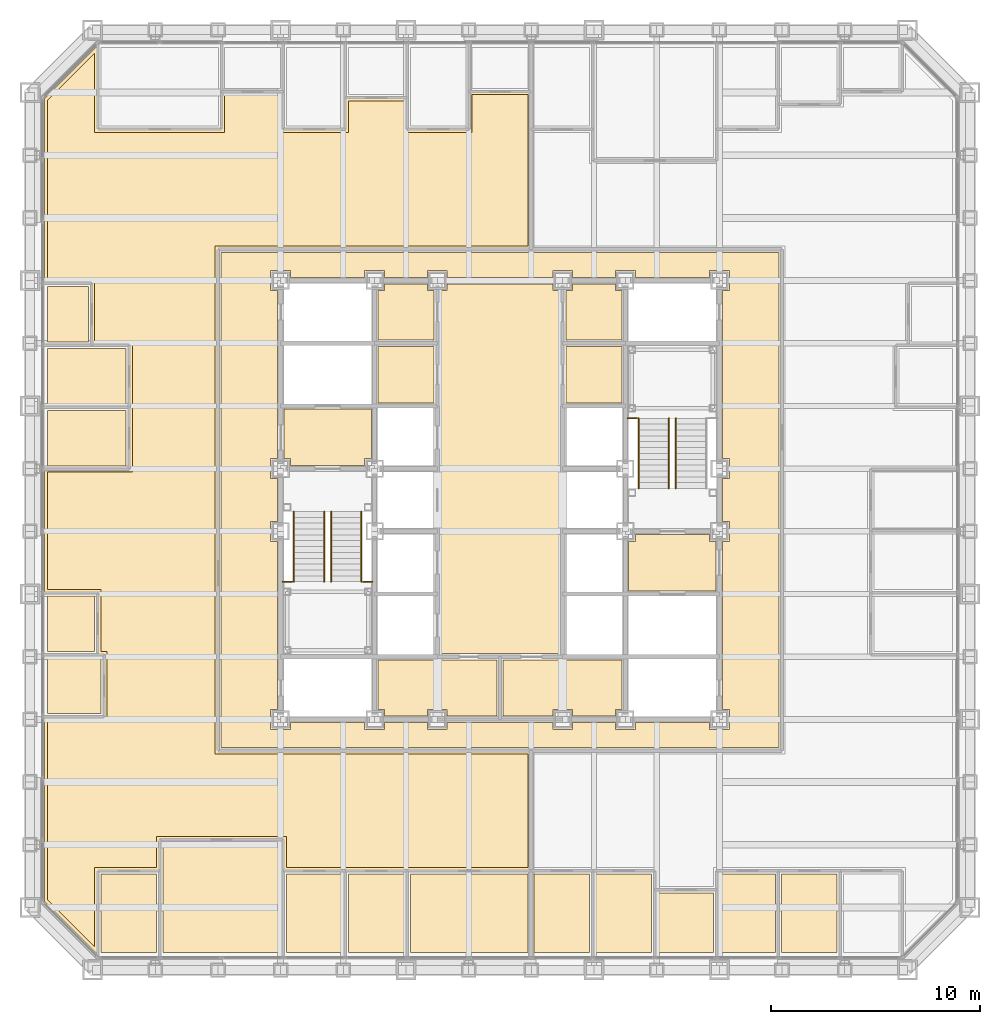
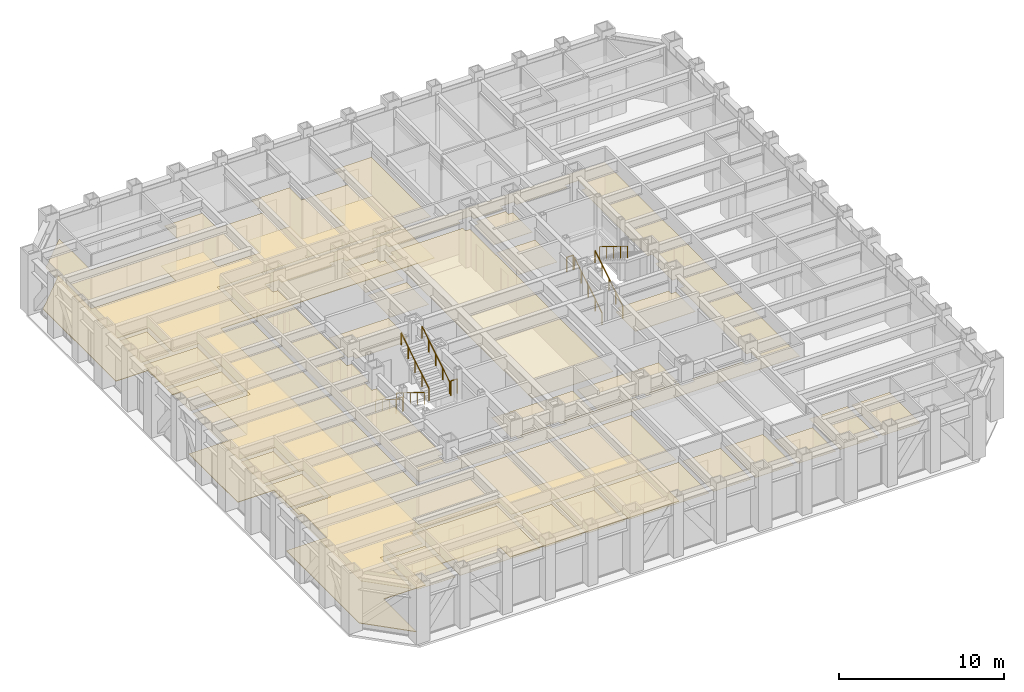
# One storey, part 14 of 16: 27 coverings, 10 railings.
"""IFC4 building model written with IfcOpenShell, lengths in metres."""

from ifc_helpers import new_model, si_unit, direction, frame, origin, origin_2d, place, context, subcontext, project, spatial, polyline, circle, outline, extrude, material, layer, layer_set, type_object, element, save


model = new_model("IFC4")

# Units and contexts
model_context = context("Model", 3, precision=1e-05, world=origin(), true_north=direction((0.0, 1.0)))
body_context = subcontext(model_context, "Body", "Model", "MODEL_VIEW")
ifc_project = project(units=[si_unit("LENGTHUNIT", "METRE"), si_unit("AREAUNIT", "SQUARE_METRE"), si_unit("VOLUMEUNIT", "CUBIC_METRE"), si_unit("PLANEANGLEUNIT", "RADIAN"), si_unit("MASSUNIT", "GRAM", prefix="KILO")], contexts=[model_context])

# Site, building, storey
site_placement = place(None, origin())
site = spatial("IfcSite", under=ifc_project, at=site_placement, CompositionType="ELEMENT")
building_placement = place(site_placement, origin())
building = spatial("IfcBuilding", under=site, at=building_placement, Name="Chuquiago Exchange Tower", CompositionType="ELEMENT")
storey_placement = place(building_placement, frame((0.0, 0.0, 51.300048828125)))
storey = spatial("IfcBuildingStorey", under=building, at=storey_placement, Name="L10", CompositionType="ELEMENT", Elevation=51.300048828125)

# Coverings
ifc_material_1 = material(Name="Mineral fibre tile, 600 x 600, on pale metal grid", Category="mineral fibre")
ifc_layer_1 = layer(ifc_material_1, 0.02001953125)
ifc_layer_set_1 = layer_set([ifc_layer_1], Name="CL1 suspended tile ceiling 20")
covering_type_1 = type_object("IfcCoveringType", Name="CL1 suspended tile ceiling 20", PredefinedType="CEILING", material=ifc_layer_set_1)
covering_1_placement = place(storey_placement, frame((0.0, 0.0, 3.0)))
element("IfcCovering", 1, at=covering_1_placement, inside=storey, type_object=covering_type_1, Name="Ceiling Trading support room", PredefinedType="CEILING", context=body_context, shape_type="SweptSolid", body=[
    extrude(outline(polyline([(3.3984375, 4.60009765625), (6.060302734375, 4.60009765625), (6.060302734375, 0.85009765625), (3.3984375, 0.85009765625), (3.3984375, 4.60009765625)])), origin(), (0.0, 0.0, 1.0), 0.02001953125),
])
covering_2_placement = place(storey_placement, frame((0.0, 0.0, 3.0)))
element("IfcCovering", 2, at=covering_2_placement, inside=storey, type_object=covering_type_1, Name="Ceiling Market data room", PredefinedType="CEILING", context=body_context, shape_type="SweptSolid", body=[
    extrude(outline(polyline([(6.3603515625, 6.10009765625), (11.98388671875, 6.10009765625), (11.98388671875, 0.85009765625), (6.3603515625, 0.85009765625), (6.3603515625, 6.10009765625)])), origin(), (0.0, 0.0, 1.0), 0.02001953125),
])
covering_3_placement = place(storey_placement, frame((0.0, 0.0, 3.0)))
element("IfcCovering", 3, at=covering_3_placement, inside=storey, type_object=covering_type_1, Name="Ceiling Office", PredefinedType="CEILING", context=body_context, shape_type="SweptSolid", body=[
    extrude(outline(polyline([(12.28369140625, 4.60009765625), (14.945556640625, 4.60009765625), (14.945556640625, 0.85009765625), (12.28369140625, 0.85009765625), (12.28369140625, 4.60009765625)])), origin(), (0.0, 0.0, 1.0), 0.02001953125),
])
covering_4_placement = place(storey_placement, frame((0.0, 0.0, 3.0)))
element("IfcCovering", 4, at=covering_4_placement, inside=storey, type_object=covering_type_1, Name="Ceiling Office", PredefinedType="CEILING", context=body_context, shape_type="SweptSolid", body=[
    extrude(outline(polyline([(15.24560546875, 4.60009765625), (17.907470703125, 4.60009765625), (17.907470703125, 0.85009765625), (15.24560546875, 0.85009765625), (15.24560546875, 4.60009765625)])), origin(), (0.0, 0.0, 1.0), 0.02001953125),
])
covering_5_placement = place(storey_placement, frame((0.0, 0.0, 3.0)))
element("IfcCovering", 5, at=covering_5_placement, inside=storey, type_object=covering_type_1, Name="Ceiling Meeting room", PredefinedType="CEILING", context=body_context, shape_type="SweptSolid", body=[
    extrude(outline(polyline([(18.20751953125, 4.60009765625), (23.830810546875, 4.60009765625), (23.830810546875, 0.85009765625), (18.20751953125, 0.85009765625), (18.20751953125, 4.60009765625)])), origin(), (0.0, 0.0, 1.0), 0.02001953125),
])
covering_6_placement = place(storey_placement, frame((0.0, 0.0, 3.0)))
element("IfcCovering", 6, at=covering_6_placement, inside=storey, type_object=covering_type_1, Name="Ceiling Office", PredefinedType="CEILING", context=body_context, shape_type="SweptSolid", body=[
    extrude(outline(polyline([(24.130859375, 4.60009765625), (26.79248046875, 4.60009765625), (26.79248046875, 0.85009765625), (24.130859375, 0.85009765625), (24.130859375, 4.60009765625)])), origin(), (0.0, 0.0, 1.0), 0.02001953125),
])
covering_7_placement = place(storey_placement, frame((0.0, 0.0, 3.0)))
element("IfcCovering", 7, at=covering_7_placement, inside=storey, type_object=covering_type_1, Name="Ceiling Office", PredefinedType="CEILING", context=body_context, shape_type="SweptSolid", body=[
    extrude(outline(polyline([(27.092529296875, 4.60009765625), (29.75439453125, 4.60009765625), (29.75439453125, 0.85009765625), (27.092529296875, 0.85009765625), (27.092529296875, 4.60009765625)])), origin(), (0.0, 0.0, 1.0), 0.02001953125),
])
covering_8_placement = place(storey_placement, frame((0.0, 0.0, 3.0)))
element("IfcCovering", 8, at=covering_8_placement, inside=storey, type_object=covering_type_1, Name="Ceiling Comms room", PredefinedType="CEILING", context=body_context, shape_type="SweptSolid", body=[
    extrude(outline(polyline([(30.054443359375, 3.699951171875), (32.71630859375, 3.699951171875), (32.71630859375, 0.85009765625), (30.054443359375, 0.85009765625), (30.054443359375, 3.699951171875)])), origin(), (0.0, 0.0, 1.0), 0.02001953125),
])
covering_9_placement = place(storey_placement, frame((0.0, 0.0, 3.0)))
element("IfcCovering", 9, at=covering_9_placement, inside=storey, type_object=covering_type_1, Name="Ceiling Trading support room", PredefinedType="CEILING", context=body_context, shape_type="SweptSolid", body=[
    extrude(outline(polyline([(33.01611328125, 4.60009765625), (35.677978515625, 4.60009765625), (35.677978515625, 0.85009765625), (33.01611328125, 0.85009765625), (33.01611328125, 4.60009765625)])), origin(), (0.0, 0.0, 1.0), 0.02001953125),
])
covering_10_placement = place(storey_placement, frame((0.0, 0.0, 3.0)))
element("IfcCovering", 10, at=covering_10_placement, inside=storey, type_object=covering_type_1, Name="Ceiling Trading support room", PredefinedType="CEILING", context=body_context, shape_type="SweptSolid", body=[
    extrude(outline(polyline([(35.977783203125, 4.60009765625), (38.6396484375, 4.60009765625), (38.6396484375, 0.85009765625), (35.977783203125, 0.85009765625), (35.977783203125, 4.60009765625)])), origin(), (0.0, 0.0, 1.0), 0.02001953125),
])
covering_11_placement = place(storey_placement, frame((0.0, 0.0, 3.0)))
element("IfcCovering", 11, at=covering_11_placement, inside=storey, type_object=covering_type_1, Name="Ceiling Pantry", PredefinedType="CEILING", context=body_context, shape_type="SweptSolid", body=[
    extrude(outline(polyline([(3.39990234375, 14.945556640625), (3.39990234375, 12.28369140625), (0.85009765625, 12.28369140625), (0.85009765625, 14.945556640625), (3.39990234375, 14.945556640625)])), origin(), (0.0, 0.0, 1.0), 0.02001953125),
])
covering_12_placement = place(storey_placement, frame((0.0, 0.0, 3.0)))
element("IfcCovering", 12, at=covering_12_placement, inside=storey, type_object=covering_type_1, Name="Ceiling Store", PredefinedType="CEILING", context=body_context, shape_type="SweptSolid", body=[
    extrude(outline(polyline([(3.10009765625, 17.907470703125), (3.10009765625, 15.24560546875), (0.85009765625, 15.24560546875), (0.85009765625, 17.907470703125), (3.10009765625, 17.907470703125)])), origin(), (0.0, 0.0, 1.0), 0.02001953125),
])
covering_13_placement = place(storey_placement, frame((0.0, 0.0, 3.0)))
element("IfcCovering", 13, at=covering_13_placement, inside=storey, type_object=covering_type_1, Name="Ceiling Office", PredefinedType="CEILING", context=body_context, shape_type="SweptSolid", body=[
    extrude(outline(polyline([(4.60009765625, 26.79248046875), (4.60009765625, 24.130859375), (0.85009765625, 24.130859375), (0.85009765625, 26.79248046875), (4.60009765625, 26.79248046875)])), origin(), (0.0, 0.0, 1.0), 0.02001953125),
])
covering_14_placement = place(storey_placement, frame((0.0, 0.0, 3.0)))
element("IfcCovering", 14, at=covering_14_placement, inside=storey, type_object=covering_type_1, Name="Ceiling Office", PredefinedType="CEILING", context=body_context, shape_type="SweptSolid", body=[
    extrude(outline(polyline([(4.60009765625, 29.75439453125), (4.60009765625, 27.092529296875), (0.85009765625, 27.092529296875), (0.85009765625, 29.75439453125), (4.60009765625, 29.75439453125)])), origin(), (0.0, 0.0, 1.0), 0.02001953125),
])
covering_15_placement = place(storey_placement, frame((0.0, 0.0, 3.0)))
element("IfcCovering", 15, at=covering_15_placement, inside=storey, type_object=covering_type_1, Name="Ceiling Focus room", PredefinedType="CEILING", context=body_context, shape_type="SweptSolid", body=[
    extrude(outline(polyline([(2.800048828125, 32.71630859375), (2.800048828125, 30.054443359375), (0.85009765625, 30.054443359375), (0.85009765625, 32.71630859375), (2.800048828125, 32.71630859375)])), origin(), (0.0, 0.0, 1.0), 0.02001953125),
])
covering_16_placement = place(storey_placement, frame((0.0, 0.0, 3.0)))
element("IfcCovering", 16, at=covering_16_placement, inside=storey, type_object=covering_type_1, Name="Ceiling Trading floor west suite", PredefinedType="CEILING", context=body_context, shape_type="SweptSolid", body=[
    extrude(outline(polyline([(3.098388671875, 40.10009765625), (9.322021484375, 40.10009765625), (9.322021484375, 41.89990234375), (11.98388671875, 41.89990234375), (11.98388671875, 40.10009765625), (15.24560546875, 40.10009765625), (15.24560546875, 41.60009765625), (17.907470703125, 41.60009765625), (17.907470703125, 40.10009765625), (21.169189453125, 40.10009765625), (21.169189453125, 41.89990234375), (23.830322265625, 41.89990234375), (23.830322265625, 34.650390625), (8.849609375, 34.64990234375), (8.849609375, 10.349853515625), (23.830322265625, 10.349609375), (23.830322265625, 4.89990234375), (12.28369140625, 4.89990234375), (12.28369140625, 6.39990234375), (6.060302734375, 6.39990234375), (6.060302734375, 4.89990234375), (3.098388671875, 4.89990234375), (3.098388671875, 1.103515625), (0.85009765625, 3.35205078125), (0.85009765625, 11.98388671875), (3.699951171875, 11.98388671875), (3.699951171875, 15.24560546875), (3.39990234375, 15.24560546875), (3.39990234375, 18.20751953125), (0.85009765625, 18.20751953125), (0.85009765625, 23.830810546875), (4.89990234375, 23.830810546875), (4.89990234375, 30.054443359375), (3.10009765625, 30.054443359375), (3.10009765625, 33.01611328125), (0.85009765625, 33.01611328125), (0.85009765625, 41.64794921875), (3.098388671875, 43.896484375), (3.098388671875, 40.10009765625)])), origin(), (0.0, 0.0, 1.0), 0.02001953125),
])
covering_17_placement = place(storey_placement, frame((0.0, 0.0, 3.0)))
element("IfcCovering", 17, at=covering_17_placement, inside=storey, type_object=covering_type_1, Name="Ceiling Tenant corridor", PredefinedType="CEILING", context=body_context, shape_type="SweptSolid", body=[
    extrude(outline(polyline([(9.14990234375, 34.35009765625), (35.85009765625, 34.35009765625), (35.85009765625, 10.64990234375), (9.14990234375, 10.64990234375), (9.14990234375, 34.35009765625)]), holes=[polyline([(11.85009765625, 24.47509765625), (11.52490234375, 24.47509765625), (11.52490234375, 23.52490234375), (11.85009765625, 23.52490234375), (11.85009765625, 21.47509765625), (11.52490234375, 21.47509765625), (11.52490234375, 20.52490234375), (11.85009765625, 20.52490234375), (11.85009765625, 12.47509765625), (11.52490234375, 12.47509765625), (11.52490234375, 11.52490234375), (12.47509765625, 11.52490234375), (12.47509765625, 11.85009765625), (16.02490234375, 11.85009765625), (16.02490234375, 11.52490234375), (16.97509765625, 11.52490234375), (16.97509765625, 11.85009765625), (19.02490234375, 11.85009765625), (19.02490234375, 11.52490234375), (19.97509765625, 11.52490234375), (19.97509765625, 11.85009765625), (25.02490234375, 11.85009765625), (25.02490234375, 11.52490234375), (25.97509765625, 11.52490234375), (25.97509765625, 11.85009765625), (28.02490234375, 11.85009765625), (28.02490234375, 11.52490234375), (28.97509765625, 11.52490234375), (28.97509765625, 11.85009765625), (32.52490234375, 11.85009765625), (32.52490234375, 11.52490234375), (33.47509765625, 11.52490234375), (33.47509765625, 12.47509765625), (33.14990234375, 12.47509765625), (33.14990234375, 20.52490234375), (33.47509765625, 20.52490234375), (33.47509765625, 21.47509765625), (33.14990234375, 21.47509765625), (33.14990234375, 23.52490234375), (33.47509765625, 23.52490234375), (33.47509765625, 24.47509765625), (33.14990234375, 24.47509765625), (33.14990234375, 32.52490234375), (33.47509765625, 32.52490234375), (33.47509765625, 33.47509765625), (32.52490234375, 33.47509765625), (32.52490234375, 33.14990234375), (28.97509765625, 33.14990234375), (28.97509765625, 33.47509765625), (28.02490234375, 33.47509765625), (28.02490234375, 33.14990234375), (25.97509765625, 33.14990234375), (25.97509765625, 33.47509765625), (25.02490234375, 33.47509765625), (25.02490234375, 33.14990234375), (19.97509765625, 33.14990234375), (19.97509765625, 33.47509765625), (19.02490234375, 33.47509765625), (19.02490234375, 33.14990234375), (16.97509765625, 33.14990234375), (16.97509765625, 33.47509765625), (16.02490234375, 33.47509765625), (16.02490234375, 33.14990234375), (12.47509765625, 33.14990234375), (12.47509765625, 33.47509765625), (11.52490234375, 33.47509765625), (11.52490234375, 32.52490234375), (11.85009765625, 32.52490234375), (11.85009765625, 24.47509765625)])]), origin(), (0.0, 0.0, 1.0), 0.02001953125),
])
covering_18_placement = place(storey_placement, frame((0.0, 0.0, 3.0)))
element("IfcCovering", 18, at=covering_18_placement, inside=storey, type_object=covering_type_1, Name="Ceiling Baby change room", PredefinedType="CEILING", context=body_context, shape_type="SweptSolid", body=[
    extrude(outline(polyline([(25.64990234375, 30.14990234375), (25.64990234375, 32.52490234375), (25.97509765625, 32.52490234375), (25.97509765625, 32.85009765625), (28.02490234375, 32.85009765625), (28.02490234375, 32.52490234375), (28.35009765625, 32.52490234375), (28.35009765625, 30.14990234375), (25.64990234375, 30.14990234375)])), origin(), (0.0, 0.0, 1.0), 0.02001953125),
])
ifc_material_2 = material(Name="Moisture resistant plasterboard on metal frame", Category="gypsum")
ifc_layer_2 = layer(ifc_material_2, 0.014892578125)
ifc_layer_set_2 = layer_set([ifc_layer_2], Name="CL2 moisture resistant ceiling 15")
covering_type_2 = type_object("IfcCoveringType", Name="CL2 moisture resistant ceiling 15", PredefinedType="CEILING", material=ifc_layer_set_2)
covering_19_placement = place(storey_placement, frame((0.0, 0.0, 2.599853515625)))
element("IfcCovering", 19, at=covering_19_placement, inside=storey, type_object=covering_type_2, Name="Ceiling Male WC", PredefinedType="CEILING", context=body_context, shape_type="SweptSolid", body=[
    extrude(outline(polyline([(16.64990234375, 27.14990234375), (16.64990234375, 29.85009765625), (19.35009765625, 29.85009765625), (19.35009765625, 27.14990234375), (16.64990234375, 27.14990234375)])), origin(), (0.0, 0.0, 1.0), 0.01513671875),
])
covering_20_placement = place(storey_placement, frame((0.0, 0.0, 2.599853515625)))
element("IfcCovering", 20, at=covering_20_placement, inside=storey, type_object=covering_type_2, Name="Ceiling Staff shower room", PredefinedType="CEILING", context=body_context, shape_type="SweptSolid", body=[
    extrude(outline(polyline([(16.64990234375, 30.14990234375), (16.64990234375, 32.52490234375), (16.97509765625, 32.52490234375), (16.97509765625, 32.85009765625), (19.02490234375, 32.85009765625), (19.02490234375, 32.52490234375), (19.35009765625, 32.52490234375), (19.35009765625, 30.14990234375), (16.64990234375, 30.14990234375)])), origin(), (0.0, 0.0, 1.0), 0.01513671875),
])
covering_21_placement = place(storey_placement, frame((0.0, 0.0, 2.599853515625)))
element("IfcCovering", 21, at=covering_21_placement, inside=storey, type_object=covering_type_2, Name="Ceiling Female WC", PredefinedType="CEILING", context=body_context, shape_type="SweptSolid", body=[
    extrude(outline(polyline([(25.64990234375, 27.14990234375), (25.64990234375, 29.85009765625), (28.35009765625, 29.85009765625), (28.35009765625, 27.14990234375), (25.64990234375, 27.14990234375)])), origin(), (0.0, 0.0, 1.0), 0.01513671875),
])
covering_22_placement = place(storey_placement, frame((0.0, 0.0, 2.599853515625)))
element("IfcCovering", 22, at=covering_22_placement, inside=storey, type_object=covering_type_2, Name="Ceiling Accessible WC", PredefinedType="CEILING", context=body_context, shape_type="SweptSolid", body=[
    extrude(outline(polyline([(25.97509765625, 12.14990234375), (25.97509765625, 12.47509765625), (25.02490234375, 12.47509765625), (25.02490234375, 12.14990234375), (22.64990234375, 12.14990234375), (22.64990234375, 14.85009765625), (28.35009765625, 14.85009765625), (28.35009765625, 12.47509765625), (28.02490234375, 12.47509765625), (28.02490234375, 12.14990234375), (25.97509765625, 12.14990234375)])), origin(), (0.0, 0.0, 1.0), 0.01513671875),
])
covering_23_placement = place(storey_placement, frame((0.0, 0.0, 2.599853515625)))
element("IfcCovering", 23, at=covering_23_placement, inside=storey, type_object=covering_type_2, Name="Ceiling Cleaner", PredefinedType="CEILING", context=body_context, shape_type="SweptSolid", body=[
    extrude(outline(polyline([(19.97509765625, 12.14990234375), (19.97509765625, 12.47509765625), (19.02490234375, 12.47509765625), (19.02490234375, 12.14990234375), (16.97509765625, 12.14990234375), (16.97509765625, 12.47509765625), (16.64990234375, 12.47509765625), (16.64990234375, 14.85009765625), (22.35009765625, 14.85009765625), (22.35009765625, 12.14990234375), (19.97509765625, 12.14990234375)])), origin(), (0.0, 0.0, 1.0), 0.01513671875),
])
ifc_material_3 = material(Name="Pale metal plank ceiling, perforated", Category="aluminium")
ifc_layer_3 = layer(ifc_material_3, 0.030029296875)
ifc_layer_set_3 = layer_set([ifc_layer_3], Name="CL3 metal plank ceiling 30")
covering_type_3 = type_object("IfcCoveringType", Name="CL3 metal plank ceiling 30", PredefinedType="CEILING", material=ifc_layer_set_3)
covering_24_placement = place(storey_placement, frame((0.0, 0.0, 2.800048828125)))
element("IfcCovering", 24, at=covering_24_placement, inside=storey, type_object=covering_type_3, Name="Ceiling Lift lobby", PredefinedType="CEILING", context=body_context, shape_type="SweptSolid", body=[
    extrude(outline(polyline([(19.64990234375, 15.14990234375), (19.64990234375, 32.52490234375), (19.97509765625, 32.52490234375), (19.97509765625, 32.85009765625), (25.02490234375, 32.85009765625), (25.02490234375, 32.52490234375), (25.35009765625, 32.52490234375), (25.35009765625, 15.14990234375), (19.64990234375, 15.14990234375)])), origin(), (0.0, 0.0, 1.0), 0.02978515625),
])
covering_25_placement = place(storey_placement, frame((0.0, 0.0, 2.800048828125)))
element("IfcCovering", 25, at=covering_25_placement, inside=storey, type_object=covering_type_3, Name="Ceiling Firefighting lobby", PredefinedType="CEILING", context=body_context, shape_type="SweptSolid", body=[
    extrude(outline(polyline([(12.47509765625, 24.14990234375), (12.47509765625, 24.47509765625), (12.14990234375, 24.47509765625), (12.14990234375, 26.85009765625), (16.35009765625, 26.85009765625), (16.35009765625, 24.47509765625), (16.02490234375, 24.47509765625), (16.02490234375, 24.14990234375), (12.47509765625, 24.14990234375)])), origin(), (0.0, 0.0, 1.0), 0.02978515625),
])
covering_26_placement = place(storey_placement, frame((0.0, 0.0, 2.800048828125)))
element("IfcCovering", 26, at=covering_26_placement, inside=storey, type_object=covering_type_3, Name="Ceiling Firefighting lobby", PredefinedType="CEILING", context=body_context, shape_type="SweptSolid", body=[
    extrude(outline(polyline([(28.64990234375, 18.14990234375), (28.64990234375, 20.52490234375), (28.97509765625, 20.52490234375), (28.97509765625, 20.85009765625), (32.52490234375, 20.85009765625), (32.52490234375, 20.52490234375), (32.85009765625, 20.52490234375), (32.85009765625, 18.14990234375), (28.64990234375, 18.14990234375)])), origin(), (0.0, 0.0, 1.0), 0.02978515625),
])

# Railings
ifc_material_4 = material(Name="Pale metal guard with safety glass infill", Category="glass")
railing_type_1 = type_object("IfcRailingType", Name="GR1 guard 1100", PredefinedType="GUARDRAIL", material=ifc_material_4)
for number, where, name in (
    (27, (12.10009765625, 18.590087890625, 2.25), "Guard ST1 L10 landing 2"),
    (28, (15.945068359375, 18.590087890625, 2.25), "Guard ST1 L10 landing 2"),
    (29, (28.60009765625, 26.409912109375, 2.25), "Guard ST2 L10 landing 2"),
):
    element("IfcRailing", number, at=place(storey_placement, frame(where)), inside=storey, type_object=railing_type_1, Name=name, PredefinedType="GUARDRAIL", context=body_context, shape_type="SweptSolid", body=[
        extrude(circle(Radius=0.02392578125, at=origin_2d()), frame((0.0, 0.0, 1.076171875), z_axis=(1.0, 0.0, 0.0), x_axis=(0.0, 1.0, 0.0)), (0.0, 0.0, 1.0), 0.454833984375),
        extrude(circle(Radius=0.02099609375, at=origin_2d()), origin(), (0.0, 0.0, 1.0), 1.052001953125),
        extrude(circle(Radius=0.02099609375, at=origin_2d()), frame((0.454833984375, 0.0, 0.0)), (0.0, 0.0, 1.0), 1.052001953125),
    ])
ifc_material_5 = material(Name="Pale metal handrail", Category="steel")
railing_type_2 = type_object("IfcRailingType", Name="HR1 handrail 900", PredefinedType="HANDRAIL", material=ifc_material_5)
for number, where, name in (
    (30, (12.635009765625, 21.949951171875, 0.173095703125), "Handrail ST1 L10 flight 1"),
    (31, (14.0849609375, 21.949951171875, 0.173095703125), "Handrail ST1 L10 flight 1"),
):
    element("IfcRailing", number, at=place(storey_placement, frame(where)), inside=storey, type_object=railing_type_2, Name=name, PredefinedType="HANDRAIL", context=body_context, shape_type="SweptSolid", body=[
        extrude(circle(Radius=0.02392578125, at=origin_2d()), frame((0.0, 0.0, 0.8759765625), z_axis=(0.0, -0.850606129759, 0.525803396734), x_axis=(1.0, 0.0, 0.0)), (0.0, 0.0, 1.0), 3.949951171875),
        extrude(circle(Radius=0.02099609375, at=origin_2d()), origin(), (0.0, 0.0, 1.0), 0.851806640625),
        extrude(circle(Radius=0.02099609375, at=origin_2d()), frame((0.0, -0.83984375, 0.519287109375)), (0.0, 0.0, 1.0), 0.851806640625),
        extrude(circle(Radius=0.02099609375, at=origin_2d()), frame((0.0, -1.679931640625, 1.03857421875)), (0.0, 0.0, 1.0), 0.851806640625),
        extrude(circle(Radius=0.02099609375, at=origin_2d()), frame((0.0, -2.52001953125, 1.5576171875)), (0.0, 0.0, 1.0), 0.851806640625),
        extrude(circle(Radius=0.02099609375, at=origin_2d()), frame((0.0, -3.35986328125, 2.076904296875)), (0.0, 0.0, 1.0), 0.851806640625),
    ])
for number, where, name in (
    (32, (15.864990234375, 18.590087890625, 2.423095703125), "Handrail ST1 L10 flight 2"),
    (33, (14.4150390625, 18.590087890625, 2.423095703125), "Handrail ST1 L10 flight 2"),
    (34, (30.5849609375, 23.050048828125, 0.173095703125), "Handrail ST2 L10 flight 1"),
    (35, (29.135009765625, 23.050048828125, 0.173095703125), "Handrail ST2 L10 flight 1"),
):
    element("IfcRailing", number, at=place(storey_placement, frame(where)), inside=storey, type_object=railing_type_2, Name=name, PredefinedType="HANDRAIL", context=body_context, shape_type="SweptSolid", body=[
        extrude(circle(Radius=0.02392578125, at=origin_2d()), frame((0.0, 0.0, 0.8759765625), z_axis=(0.0, 0.850606129759, 0.525803396734), x_axis=(-1.0, 0.0, 0.0)), (0.0, 0.0, 1.0), 3.949951171875),
        extrude(circle(Radius=0.02099609375, at=origin_2d()), origin(), (0.0, 0.0, 1.0), 0.851806640625),
        extrude(circle(Radius=0.02099609375, at=origin_2d()), frame((0.0, 0.83984375, 0.519287109375)), (0.0, 0.0, 1.0), 0.851806640625),
        extrude(circle(Radius=0.02099609375, at=origin_2d()), frame((0.0, 1.679931640625, 1.03857421875)), (0.0, 0.0, 1.0), 0.851806640625),
        extrude(circle(Radius=0.02099609375, at=origin_2d()), frame((0.0, 2.52001953125, 1.5576171875)), (0.0, 0.0, 1.0), 0.851806640625),
        extrude(circle(Radius=0.02099609375, at=origin_2d()), frame((0.0, 3.35986328125, 2.076904296875)), (0.0, 0.0, 1.0), 0.851806640625),
    ])
railing_placement = place(storey_placement, frame((30.9150390625, 26.409912109375, 2.423095703125)))
element("IfcRailing", 36, at=railing_placement, inside=storey, type_object=railing_type_2, Name="Handrail ST2 L10 flight 2", PredefinedType="HANDRAIL", context=body_context, shape_type="SweptSolid", body=[
    extrude(circle(Radius=0.02392578125, at=origin_2d()), frame((0.0, 0.0, 0.8759765625), z_axis=(0.0, -0.850606129759, 0.525803396734), x_axis=(1.0, 0.0, 0.0)), (0.0, 0.0, 1.0), 3.949951171875),
    extrude(circle(Radius=0.02099609375, at=origin_2d()), origin(), (0.0, 0.0, 1.0), 0.851806640625),
    extrude(circle(Radius=0.02099609375, at=origin_2d()), frame((0.0, -0.83984375, 0.519287109375)), (0.0, 0.0, 1.0), 0.851806640625),
    extrude(circle(Radius=0.02099609375, at=origin_2d()), frame((0.0, -1.679931640625, 1.03857421875)), (0.0, 0.0, 1.0), 0.851806640625),
    extrude(circle(Radius=0.02099609375, at=origin_2d()), frame((0.0, -2.52001953125, 1.5576171875)), (0.0, 0.0, 1.0), 0.851806640625),
    extrude(circle(Radius=0.02099609375, at=origin_2d()), frame((0.0, -3.35986328125, 2.076904296875)), (0.0, 0.0, 1.0), 0.851806640625),
])

# Covering
ifc_material_6 = material(Name="Steel raised floor panel", Category="steel")
ifc_layer_4 = layer(ifc_material_6, 0.0400390625)
ifc_layer_set_4 = layer_set([ifc_layer_4], Name="RF1 raised access floor 40")
covering_type_4 = type_object("IfcCoveringType", Name="RF1 raised access floor 40", PredefinedType="FLOORING", material=ifc_layer_set_4)
covering_27_placement = place(storey_placement, frame((0.0, 0.0, -0.0400390625)))
element("IfcCovering", 37, at=covering_27_placement, inside=storey, type_object=covering_type_4, Name="Raised access floor Trading floor west suite", PredefinedType="FLOORING", context=body_context, shape_type="SweptSolid", body=[
    extrude(outline(polyline([(3.550048828125, 15.095703125), (3.25, 15.095703125), (3.25, 18.057373046875), (0.699951171875, 18.057373046875), (0.699951171875, 23.98095703125), (4.75, 23.98095703125), (4.75, 29.904296875), (2.949951171875, 29.904296875), (2.949951171875, 32.8662109375), (0.699951171875, 32.8662109375), (0.699951171875, 41.710205078125), (3.289794921875, 44.300048828125), (3.24853515625, 44.258544921875), (3.24853515625, 40.25), (9.172119140625, 40.25), (9.172119140625, 42.050048828125), (12.1337890625, 42.050048828125), (12.1337890625, 40.25), (15.095703125, 40.25), (15.095703125, 41.75), (18.057373046875, 41.75), (18.057373046875, 40.25), (21.01904296875, 40.25), (21.01904296875, 42.050048828125), (23.98046875, 42.050048828125), (23.98046875, 34.50048828125), (8.99951171875, 34.5), (8.99951171875, 10.499755859375), (23.98046875, 10.49951171875), (23.98046875, 4.75), (12.1337890625, 4.75), (12.1337890625, 6.25), (6.210205078125, 6.25), (6.210205078125, 4.75), (3.24853515625, 4.75), (3.24853515625, 0.741455078125), (0.699951171875, 3.289794921875), (0.699951171875, 12.1337890625), (3.550048828125, 12.1337890625), (3.550048828125, 15.095703125)])), origin(), (0.0, 0.0, 1.0), 0.0400390625),
])

save(model, "model.ifc")
